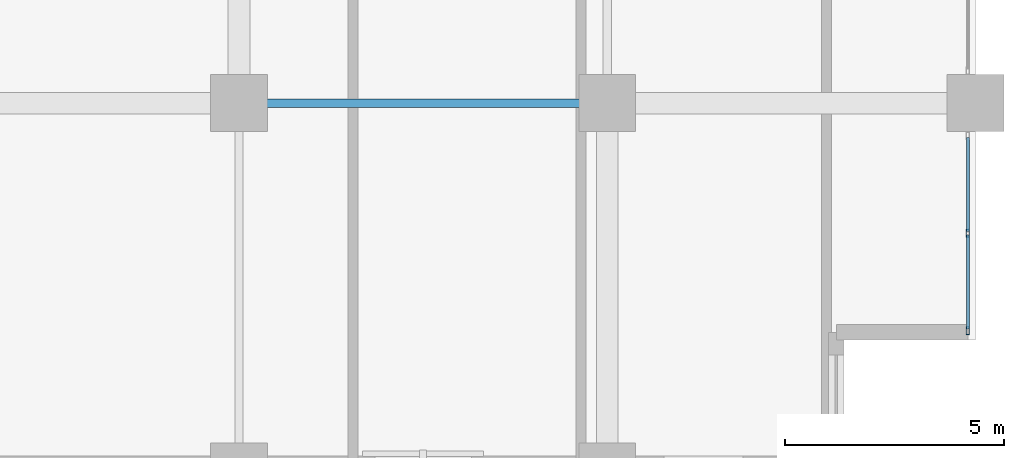
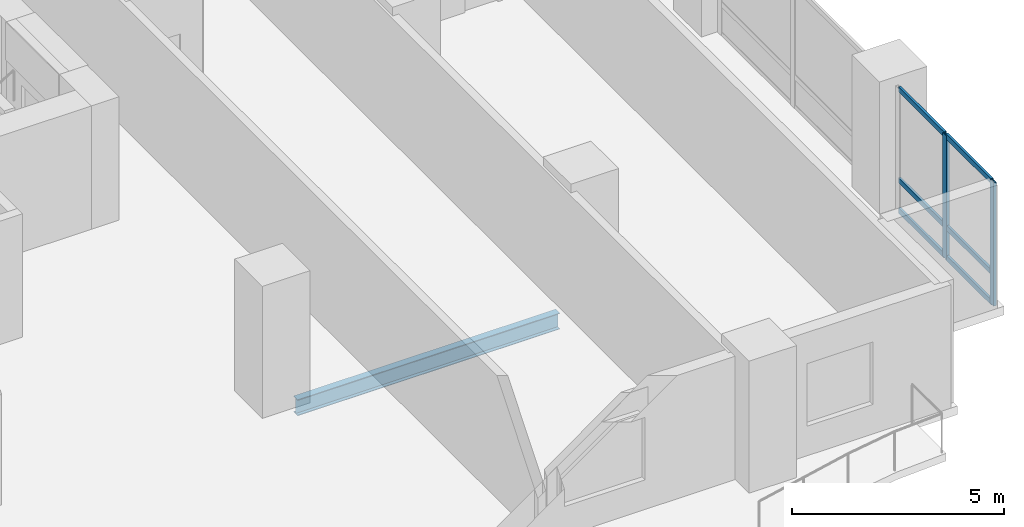
# One storey, part 3 of 24: 8 members, 1 beam, 1 element without a shape of its own.
"""IFC4 building model written with IfcOpenShell, lengths in metres."""

from ifc_helpers import new_model, si_unit, direction, frame, origin, origin_2d, place, context, subcontext, project, spatial, hollow_rectangle, i_section, extrude, material, layer, layer_set, material_profile, profile_set, type_object, element, aggregate, save


model = new_model("IFC4")

# Units and contexts
model_context = context("Model", 3, precision=1e-05, world=origin(), true_north=direction((0.0, 1.0)))
body_context = subcontext(model_context, "Body", "Model", "MODEL_VIEW")
ifc_project = project(units=[si_unit("LENGTHUNIT", "METRE"), si_unit("AREAUNIT", "SQUARE_METRE"), si_unit("VOLUMEUNIT", "CUBIC_METRE"), si_unit("PLANEANGLEUNIT", "RADIAN"), si_unit("MASSUNIT", "GRAM", prefix="KILO")], contexts=[model_context])

# Site, building, storey
site_placement = place(None, origin())
site = spatial("IfcSite", under=ifc_project, at=site_placement, CompositionType="ELEMENT")
building_placement = place(site_placement, origin())
building = spatial("IfcBuilding", under=site, at=building_placement, Name="Koriwani Terraces Tower", CompositionType="ELEMENT")
storey_placement = place(building_placement, frame((0.0, 0.0, 103.800048828125)))
storey = spatial("IfcBuildingStorey", under=building, at=storey_placement, Name="L24", CompositionType="ELEMENT", Elevation=103.800048828125)

# Curtain wall, members
ifc_material_1 = material(Name="Anodised Bronze Aluminium", Category="aluminium")
ifc_layer = layer(ifc_material_1, 0.179931640625, Name="Anodised Bronze Aluminium")
ifc_layer_set = layer_set([ifc_layer], Name="Anodised Bronze Aluminium")
curtain_wall_type = type_object("IfcCurtainWallType", Name="CW_HOTEL_ZONE2", PredefinedType="NOTDEFINED", material=ifc_layer_set)
curtain_wall_placement = place(storey_placement, origin())
curtain_wall = element("IfcCurtainWall", 1, at=curtain_wall_placement, inside=storey, type_object=curtain_wall_type, Name="L24 Unitised Curtain Wall (E_TIP) Bay 4", PredefinedType="NOTDEFINED")
ifc_material_profile_1 = material_profile(ifc_material_1, hollow_rectangle(XDim=0.074951171875, YDim=0.179931640625, WallThickness=0.006103515625, at=origin_2d()), Name="Anodised Bronze Aluminium", Category="LoadBearing")
ifc_profile_set_1 = profile_set([ifc_material_profile_1], Name="Anodised Bronze Aluminium")
member_type_1 = type_object("IfcMemberType", Name="CW_MULLION_180X75", PredefinedType="MULLION", material=ifc_profile_set_1)
member_1_placement = place(storey_placement, frame((75.425048828125, 5.4326171875, 0.0), z_axis=(0.0, 0.0, 1.0), x_axis=(1.0, 0.0, 0.0)))
member_1 = element("IfcMember", 2, at=member_1_placement, type_object=member_type_1, Name="CW-Z2 mullion 2", PredefinedType="MULLION", context=body_context, shape_type="SweptSolid", body=[
    extrude(hollow_rectangle(XDim=0.074951171875, YDim=0.179931640625, WallThickness=0.006103515625, at=origin_2d()), origin(), (0.0, 0.0, 1.0), 3.550048828125),
])
member_2_placement = place(storey_placement, frame((75.425048828125, 3.21240234375, 0.0), z_axis=(0.0, 0.0, 1.0), x_axis=(1.0, 0.0, 0.0)))
member_2 = element("IfcMember", 3, at=member_2_placement, type_object=member_type_1, Name="CW-Z2 mullion 3", PredefinedType="MULLION", context=body_context, shape_type="SweptSolid", body=[
    extrude(hollow_rectangle(XDim=0.074951171875, YDim=0.179931640625, WallThickness=0.006103515625, at=origin_2d()), origin(), (0.0, 0.0, 1.0), 3.550048828125),
])
ifc_material_profile_2 = material_profile(ifc_material_1, hollow_rectangle(XDim=0.06494140625, YDim=0.14990234375, WallThickness=0.0048828125, at=origin_2d()), Name="Anodised Bronze Aluminium", Category="LoadBearing")
ifc_profile_set_2 = profile_set([ifc_material_profile_2], Name="Anodised Bronze Aluminium")
member_type_2 = type_object("IfcMemberType", Name="CW_TRANSOM_150X65", PredefinedType="USERDEFINED", material=ifc_profile_set_2)
member_3_placement = place(storey_placement, frame((75.425048828125, 7.614990234375, 0.032470703125), z_axis=(0.0, -1.0, 0.0), x_axis=(1.0, 0.0, 0.0)))
member_3 = element("IfcMember", 4, at=member_3_placement, type_object=member_type_2, Name="CW-Z2 transom 1.1", ObjectType="TRANSOM", PredefinedType="USERDEFINED", context=body_context, shape_type="SweptSolid", body=[
    extrude(hollow_rectangle(XDim=0.06494140625, YDim=0.14990234375, WallThickness=0.0048828125, at=origin_2d()), origin(), (0.0, 0.0, 1.0), 2.14501953125),
])
member_4_placement = place(storey_placement, frame((75.425048828125, 7.614990234375, 0.89990234375), z_axis=(0.0, -1.0, 0.0), x_axis=(1.0, 0.0, 0.0)))
member_4 = element("IfcMember", 5, at=member_4_placement, type_object=member_type_2, Name="CW-Z2 transom 1.2", ObjectType="TRANSOM", PredefinedType="USERDEFINED", context=body_context, shape_type="SweptSolid", body=[
    extrude(hollow_rectangle(XDim=0.06494140625, YDim=0.14990234375, WallThickness=0.0048828125, at=origin_2d()), origin(), (0.0, 0.0, 1.0), 2.14501953125),
])
member_5_placement = place(storey_placement, frame((75.425048828125, 7.614990234375, 3.517333984375), z_axis=(0.0, -1.0, 0.0), x_axis=(1.0, 0.0, 0.0)))
member_5 = element("IfcMember", 6, at=member_5_placement, type_object=member_type_2, Name="CW-Z2 transom 1.3", ObjectType="TRANSOM", PredefinedType="USERDEFINED", context=body_context, shape_type="SweptSolid", body=[
    extrude(hollow_rectangle(XDim=0.06494140625, YDim=0.14990234375, WallThickness=0.0048828125, at=origin_2d()), origin(), (0.0, 0.0, 1.0), 2.14501953125),
])
member_6_placement = place(storey_placement, frame((75.425048828125, 5.39501953125, 0.032470703125), z_axis=(0.0, -1.0, 0.0), x_axis=(1.0, 0.0, 0.0)))
member_6 = element("IfcMember", 7, at=member_6_placement, type_object=member_type_2, Name="CW-Z2 transom 2.1", ObjectType="TRANSOM", PredefinedType="USERDEFINED", context=body_context, shape_type="SweptSolid", body=[
    extrude(hollow_rectangle(XDim=0.06494140625, YDim=0.14990234375, WallThickness=0.0048828125, at=origin_2d()), origin(), (0.0, 0.0, 1.0), 2.14501953125),
])
member_7_placement = place(storey_placement, frame((75.425048828125, 5.39501953125, 0.89990234375), z_axis=(0.0, -1.0, 0.0), x_axis=(1.0, 0.0, 0.0)))
member_7 = element("IfcMember", 8, at=member_7_placement, type_object=member_type_2, Name="CW-Z2 transom 2.2", ObjectType="TRANSOM", PredefinedType="USERDEFINED", context=body_context, shape_type="SweptSolid", body=[
    extrude(hollow_rectangle(XDim=0.06494140625, YDim=0.14990234375, WallThickness=0.0048828125, at=origin_2d()), origin(), (0.0, 0.0, 1.0), 2.14501953125),
])
member_8_placement = place(storey_placement, frame((75.425048828125, 5.39501953125, 3.517333984375), z_axis=(0.0, -1.0, 0.0), x_axis=(1.0, 0.0, 0.0)))
member_8 = element("IfcMember", 9, at=member_8_placement, type_object=member_type_2, Name="CW-Z2 transom 2.3", ObjectType="TRANSOM", PredefinedType="USERDEFINED", context=body_context, shape_type="SweptSolid", body=[
    extrude(hollow_rectangle(XDim=0.06494140625, YDim=0.14990234375, WallThickness=0.0048828125, at=origin_2d()), origin(), (0.0, 0.0, 1.0), 2.14501953125),
])
aggregate(curtain_wall, [member_1, member_2, member_3, member_4, member_5, member_6, member_7, member_8])

# Beam
ifc_material_2 = material(Name="Steel ASTM A572 Grade 50", Category="steel")
ifc_material_profile_3 = material_profile(ifc_material_2, i_section(OverallWidth=0.193115234375, OverallDepth=0.462890625, WebThickness=0.0107421875, FlangeThickness=0.017333984375, at=origin_2d()), Name="Steel ASTM A572 Grade 50", Category="LoadBearing")
ifc_profile_set_3 = profile_set([ifc_material_profile_3], Name="Steel ASTM A572 Grade 50")
beam_type = type_object("IfcBeamType", Name="STEEL_BEAM_W460X113", PredefinedType="BEAM", material=ifc_profile_set_3)
beam_placement = place(storey_placement, frame((59.429931640625, 8.39990234375, -0.4814453125), z_axis=(1.0, 0.0, 0.0), x_axis=(0.0, 1.0, 0.0)))
element("IfcBeam", 10, at=beam_placement, inside=storey, type_object=beam_type, Name="L24 Grid Beam B (58.8-67.2m)", PredefinedType="BEAM", context=body_context, shape_type="SweptSolid", body=[
    extrude(i_section(OverallWidth=0.193115234375, OverallDepth=0.462890625, WebThickness=0.0107421875, FlangeThickness=0.017333984375, at=origin_2d()), origin(), (0.0, 0.0, 1.0), 7.14013671875),
])

save(model, "model.ifc")
